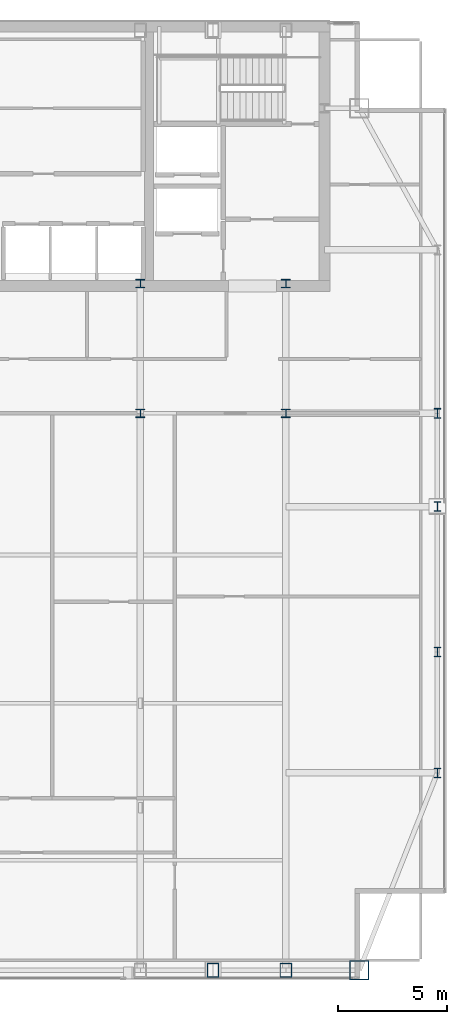
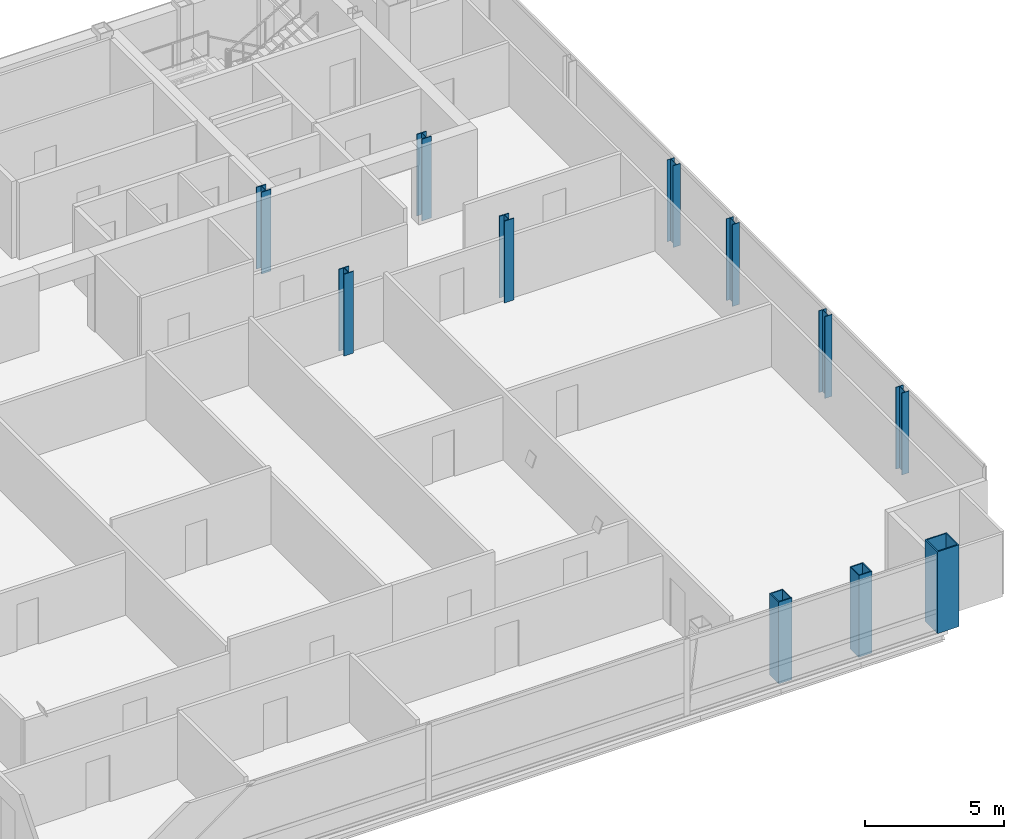
# One storey, part 2 of 24: 11 columns.
"""IFC4 building model written with IfcOpenShell, lengths in metres."""

from ifc_helpers import new_model, si_unit, direction, frame, origin, origin_2d, place, context, subcontext, project, spatial, hollow_rectangle, i_section, extrude, material, material_profile, profile_set, type_object, element, save


model = new_model("IFC4")

# Units and contexts
model_context = context("Model", 3, precision=1e-05, world=origin(), true_north=direction((0.0, 1.0)))
body_context = subcontext(model_context, "Body", "Model", "MODEL_VIEW")
ifc_project = project(units=[si_unit("LENGTHUNIT", "METRE"), si_unit("AREAUNIT", "SQUARE_METRE"), si_unit("VOLUMEUNIT", "CUBIC_METRE"), si_unit("PLANEANGLEUNIT", "RADIAN"), si_unit("MASSUNIT", "GRAM", prefix="KILO")], contexts=[model_context])

# Site, building, storey
site_placement = place(None, origin())
site = spatial("IfcSite", under=ifc_project, at=site_placement, CompositionType="ELEMENT")
building_placement = place(site_placement, origin())
building = spatial("IfcBuilding", under=site, at=building_placement, Name="Khoronbel Lancet Exchange", CompositionType="ELEMENT")
storey_placement = place(building_placement, frame((0.0, 0.0, 347.0)))
storey = spatial("IfcBuildingStorey", under=building, at=storey_placement, Name="L90", CompositionType="ELEMENT", Elevation=347.0)

# Columns
ifc_material_1 = material(Name="Steel S460", Category="steel")
ifc_material_profile_1 = material_profile(ifc_material_1, hollow_rectangle(XDim=0.550048828125, YDim=0.64990234375, WallThickness=0.0400390625, at=origin_2d()), Name="BOX 650x550x40")
ifc_profile_set_1 = profile_set([ifc_material_profile_1], Name="Steel S460")
column_type_1 = type_object("IfcColumnType", Name="COL-EC4", PredefinedType="COLUMN", material=ifc_profile_set_1)
for number, where, z_axis, x_axis, name in (
    (1, (51.33740234375, 10.14990234375, 0.0), (0.0, 0.0, 1.0), (1.0, 0.0, 0.0), "Structural column SC-EM L90"),
    (2, (54.675048828125, 10.14990234375, 0.0), (0.0, 0.0, 1.0), (1.0, 0.0, 0.0), "Structural column SC-E2 L90"),
):
    element("IfcColumn", number, at=place(storey_placement, frame(where, z_axis=z_axis, x_axis=x_axis)), inside=storey, type_object=column_type_1, Name=name, PredefinedType="COLUMN", context=body_context, shape_type="SweptSolid", body=[
        extrude(hollow_rectangle(XDim=0.550048828125, YDim=0.64990234375, WallThickness=0.0400390625, at=origin_2d()), origin(), (0.0, 0.0, 1.0), 3.60009765625),
    ])
ifc_material_2 = material(Name="Steel S355", Category="steel")
ifc_material_profile_2 = material_profile(ifc_material_2, i_section(OverallWidth=0.39892578125, OverallDepth=0.39306640625, WebThickness=0.022705078125, FlangeThickness=0.03662109375, at=origin_2d()), Name="HD 400x287")
ifc_profile_set_2 = profile_set([ifc_material_profile_2], Name="Steel S355")
column_type_2 = type_object("IfcColumnType", Name="COL-IC4", PredefinedType="COLUMN", material=ifc_profile_set_2)
for number, where, z_axis, x_axis, name in (
    (3, (48.0, 35.699951171875, 0.0), (0.0, 0.0, 1.0), (1.0, 0.0, 0.0), "Spine gravity column TC3 L90"),
    (4, (48.0, 41.64990234375, 0.0), (0.0, 0.0, 1.0), (1.0, 0.0, 0.0), "Core-embedded steel column CTC3 L90"),
    (5, (54.675048828125, 35.699951171875, 0.0), (0.0, 0.0, 1.0), (1.0, 0.0, 0.0), "Spine gravity column TC4 L90"),
    (6, (54.675048828125, 41.64990234375, 0.0), (0.0, 0.0, 1.0), (1.0, 0.0, 0.0), "Core-embedded steel column CTC4 L90"),
):
    element("IfcColumn", number, at=place(storey_placement, frame(where, z_axis=z_axis, x_axis=x_axis)), inside=storey, type_object=column_type_2, Name=name, PredefinedType="COLUMN", context=body_context, shape_type="SweptSolid", body=[
        extrude(i_section(OverallWidth=0.39892578125, OverallDepth=0.39306640625, WebThickness=0.022705078125, FlangeThickness=0.03662109375, at=origin_2d()), origin(), (0.0, 0.0, 1.0), 3.60009765625),
    ])
ifc_material_profile_3 = material_profile(ifc_material_2, i_section(OverallWidth=0.300048828125, OverallDepth=0.449951171875, WebThickness=0.013916015625, FlangeThickness=0.02587890625, at=origin_2d()), Name="HEB 450")
ifc_profile_set_3 = profile_set([ifc_material_profile_3], Name="Steel S355")
column_type_3 = type_object("IfcColumnType", Name="COL-LC2", PredefinedType="COLUMN", material=ifc_profile_set_3)
for number, where, z_axis, x_axis, name in (
    (7, (61.6298828125, 19.199951171875, 0.0), (0.0, 0.0, 1.0), (1.0, 0.0, 0.0), "Structural column EC-1 L90"),
    (8, (61.6298828125, 24.75, 0.0), (0.0, 0.0, 1.0), (1.0, 0.0, 0.0), "Structural column EC-2 L90"),
    (9, (61.6298828125, 31.425048828125, 0.0), (0.0, 0.0, 1.0), (1.0, 0.0, 0.0), "Structural column EC-M L90"),
    (10, (61.6298828125, 35.699951171875, 0.0), (0.0, 0.0, 1.0), (1.0, 0.0, 0.0), "Structural column EC-3 L90"),
):
    element("IfcColumn", number, at=place(storey_placement, frame(where, z_axis=z_axis, x_axis=x_axis)), inside=storey, type_object=column_type_3, Name=name, PredefinedType="COLUMN", context=body_context, shape_type="SweptSolid", body=[
        extrude(i_section(OverallWidth=0.300048828125, OverallDepth=0.449951171875, WebThickness=0.013916015625, FlangeThickness=0.02587890625, at=origin_2d()), origin(), (0.0, 0.0, 1.0), 3.60009765625),
    ])
ifc_material_profile_4 = material_profile(ifc_material_1, hollow_rectangle(XDim=0.89990234375, YDim=0.89990234375, WallThickness=0.050048828125, at=origin_2d()), Name="BOX 900x900x50")
ifc_profile_set_4 = profile_set([ifc_material_profile_4], Name="Steel S460")
column_type_4 = type_object("IfcColumnType", Name="COL-MC7", PredefinedType="COLUMN", material=ifc_profile_set_4)
column_placement = place(storey_placement, frame((58.050048828125, 10.14990234375, 0.0), z_axis=(0.0, 0.0, 1.0), x_axis=(1.0, 0.0, 0.0)))
element("IfcColumn", 11, at=column_placement, inside=storey, type_object=column_type_4, Name="Structural column MC-SE L90", PredefinedType="COLUMN", context=body_context, shape_type="SweptSolid", body=[
    extrude(hollow_rectangle(XDim=0.89990234375, YDim=0.89990234375, WallThickness=0.050048828125, at=origin_2d()), origin(), (0.0, 0.0, 1.0), 3.60009765625),
])

save(model, "model.ifc")
